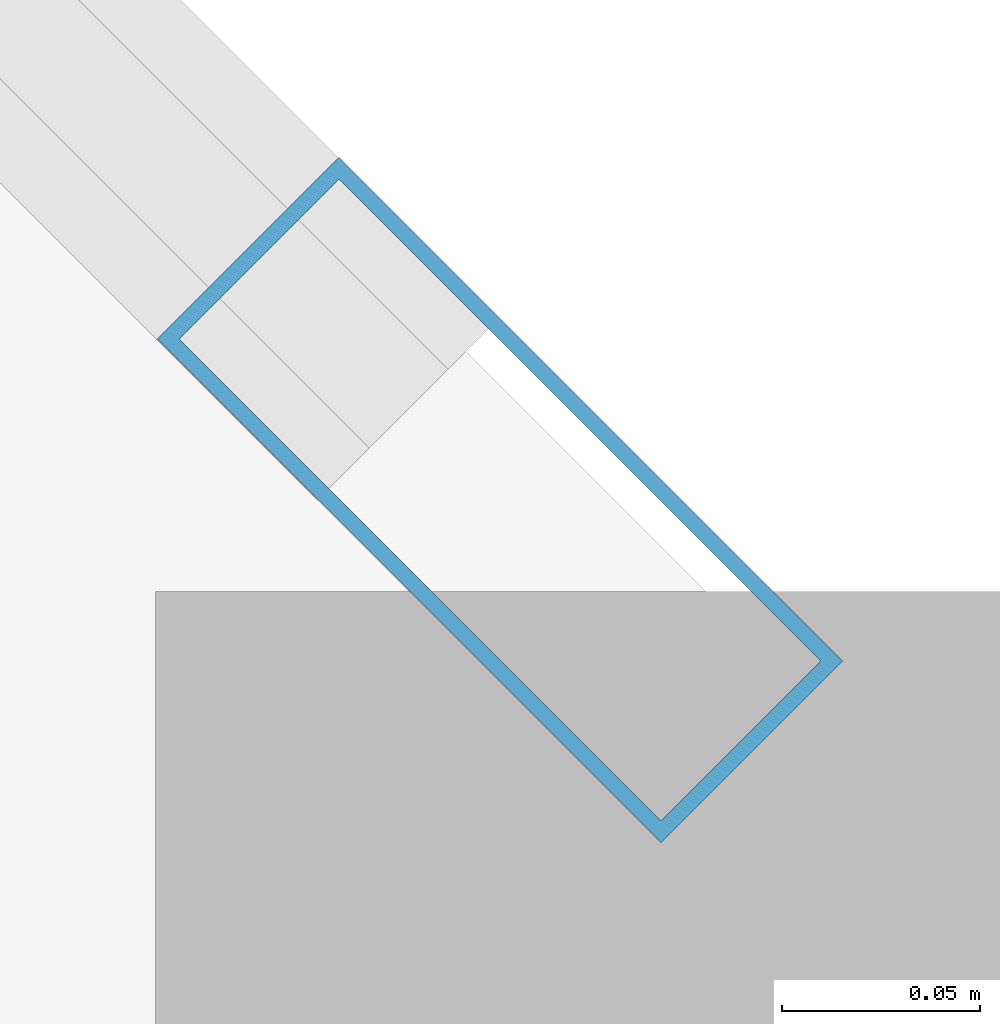
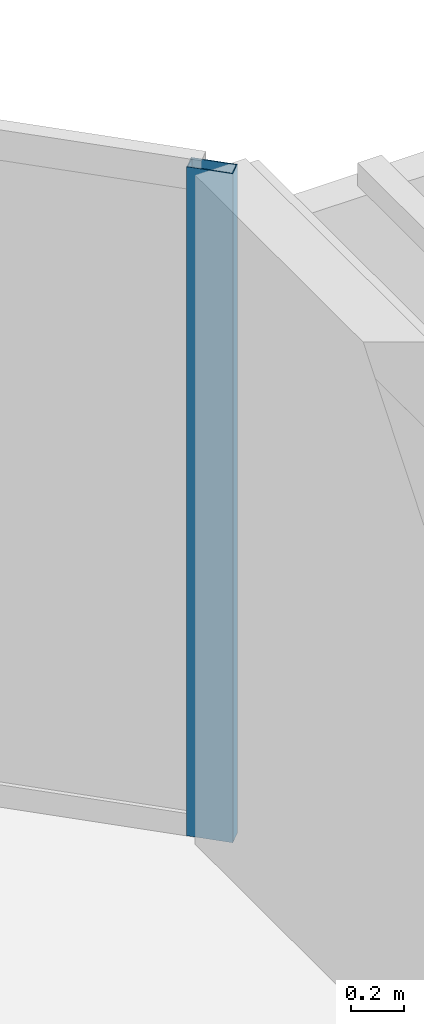
# One storey, part 8 of 29: 1 member, 1 element without a shape of its own.
"""IFC4 building model written with IfcOpenShell, lengths in metres."""

from ifc_helpers import new_model, si_unit, direction, frame, origin, origin_2d, place, context, subcontext, project, spatial, hollow_rectangle, extrude, material, layer, layer_set, material_profile, profile_set, type_object, element, aggregate, save


model = new_model("IFC4")

# Units and contexts
model_context = context("Model", 3, precision=1e-05, world=origin(), true_north=direction((0.0, 1.0)))
body_context = subcontext(model_context, "Body", "Model", "MODEL_VIEW")
ifc_project = project(units=[si_unit("LENGTHUNIT", "METRE"), si_unit("AREAUNIT", "SQUARE_METRE"), si_unit("VOLUMEUNIT", "CUBIC_METRE"), si_unit("PLANEANGLEUNIT", "RADIAN"), si_unit("MASSUNIT", "GRAM", prefix="KILO")], contexts=[model_context])

# Site, building, storey
site_placement = place(None, origin())
site = spatial("IfcSite", under=ifc_project, at=site_placement, CompositionType="ELEMENT")
building_placement = place(site_placement, origin())
building = spatial("IfcBuilding", under=site, at=building_placement, Name="Tanjung Sevakor Pilgrim Tower", CompositionType="ELEMENT")
storey_placement = place(building_placement, frame((0.0, 0.0, 232.64990234375)))
storey = spatial("IfcBuildingStorey", under=building, at=storey_placement, Name="L65", CompositionType="ELEMENT", Elevation=232.64990234375)

# Curtain wall, member
ifc_material_1 = material(Name="Aluminium 6063-T6 and Low-E Glass", Category="aluminium")
ifc_layer = layer(ifc_material_1, 0.179931640625)
ifc_layer_set = layer_set([ifc_layer], Name="CW-SYS-CHAM")
curtain_wall_type = type_object("IfcCurtainWallType", Name="CW-SYS-CHAM", PredefinedType="NOTDEFINED", material=ifc_layer_set)
curtain_wall_placement = place(storey_placement, origin())
curtain_wall = element("IfcCurtainWall", 1, at=curtain_wall_placement, inside=storey, type_object=curtain_wall_type, Name="L65 Curtain Wall CW-CHM-L65-WEST-3", PredefinedType="NOTDEFINED")
ifc_material_2 = material(Name="Aluminium 6063-T6", Category="aluminium")
ifc_material_profile = material_profile(ifc_material_2, hollow_rectangle(XDim=0.06494140625, YDim=0.179931640625, WallThickness=0.00390625, at=origin_2d()))
ifc_profile_set = profile_set([ifc_material_profile], Name="Aluminium 6063-T6")
member_type = type_object("IfcMemberType", Name="TYPE-CWM-1", PredefinedType="MULLION", material=ifc_profile_set)
member_placement = place(storey_placement, frame((38.317138671875, 40.77734375, 0.0), z_axis=(0.0, 0.0, 1.0), x_axis=(-0.707106781187, -0.707106781187, 0.0)))
member = element("IfcMember", 2, at=member_placement, type_object=member_type, Name="CW-CHM mullion 1", PredefinedType="MULLION", context=body_context, shape_type="SweptSolid", body=[
    extrude(hollow_rectangle(XDim=0.06494140625, YDim=0.179931640625, WallThickness=0.00390625, at=origin_2d()), origin(), (0.0, 0.0, 1.0), 3.080078125),
])
aggregate(curtain_wall, [member])

save(model, "model.ifc")
